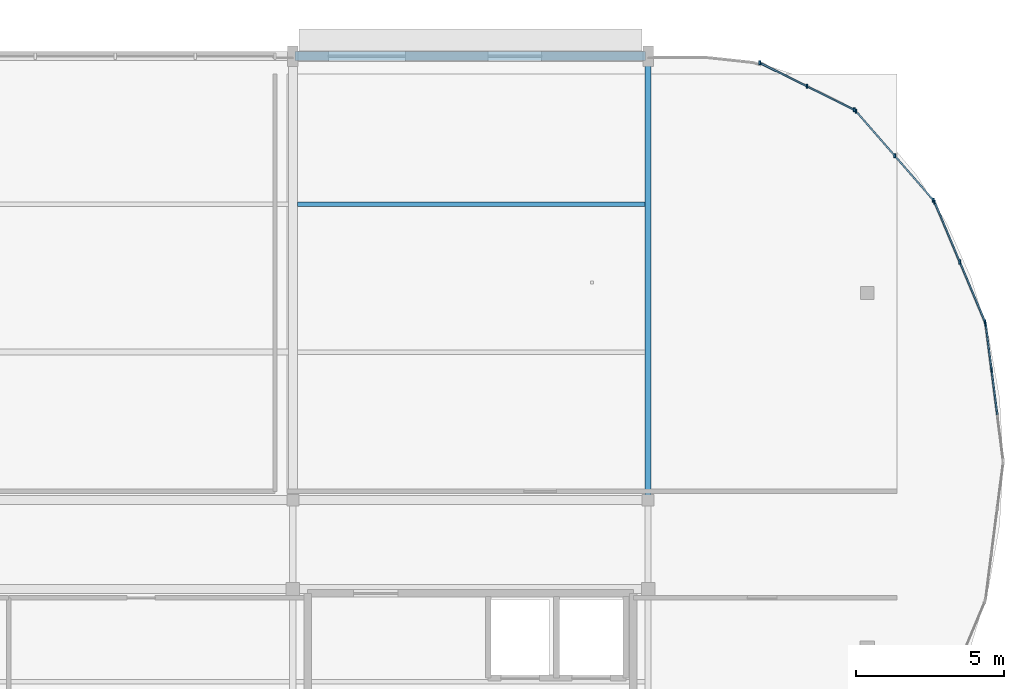
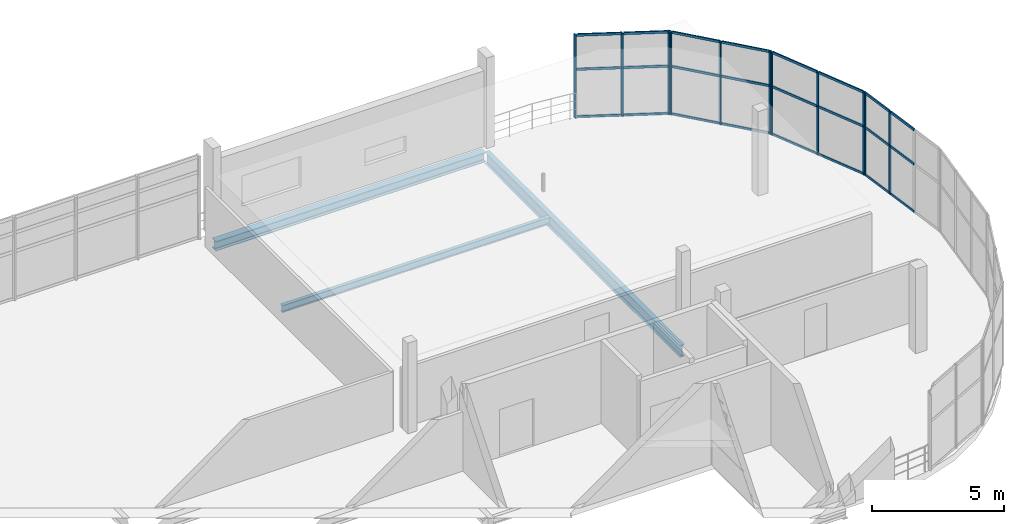
# One storey, part 5 of 13: 35 members, 3 beams, 4 elements without a shape of their own.
"""IFC4 building model written with IfcOpenShell, lengths in metres."""

from ifc_helpers import new_model, si_unit, direction, frame, origin, origin_2d, place, context, subcontext, project, spatial, rectangle, i_section, extrude, material, material_profile, profile_set, type_object, element, aggregate, save


model = new_model("IFC4")

# Units and contexts
model_context = context("Model", 3, precision=1e-05, world=origin(), true_north=direction((0.0, 1.0)))
body_context = subcontext(model_context, "Body", "Model", "MODEL_VIEW")
ifc_project = project(units=[si_unit("LENGTHUNIT", "METRE"), si_unit("AREAUNIT", "SQUARE_METRE"), si_unit("VOLUMEUNIT", "CUBIC_METRE"), si_unit("PLANEANGLEUNIT", "RADIAN"), si_unit("MASSUNIT", "GRAM", prefix="KILO"), si_unit("THERMODYNAMICTEMPERATUREUNIT", "KELVIN"), si_unit("POWERUNIT", "WATT")], contexts=[model_context])

# Site, building, storey
site_placement = place(None, origin())
site = spatial("IfcSite", under=ifc_project, at=site_placement, CompositionType="ELEMENT")
building_placement = place(site_placement, origin())
building = spatial("IfcBuilding", under=site, at=building_placement, Name="Solmara Park Aquatics Centre", CompositionType="ELEMENT")
storey_placement = place(building_placement, frame((0.0, 0.0, 14.39990234375)))
storey = spatial("IfcBuildingStorey", under=building, at=storey_placement, Name="L03", CompositionType="ELEMENT", Elevation=14.39990234375)

# Curtain wall, members
ifc_material_1 = material(Name="Anodised Aluminium Curtain Wall Framing", Category="aluminium")
curtain_wall_type = type_object("IfcCurtainWallType", Name="ARC-CW-SYS06", PredefinedType="USERDEFINED", material=ifc_material_1)
curtain_wall_1_placement = place(storey_placement, origin())
curtain_wall_1 = element("IfcCurtainWall", 1, at=curtain_wall_1_placement, inside=storey, type_object=curtain_wall_type, Name="Curtain Wall CW-150", ObjectType="CURTAIN WALL", PredefinedType="USERDEFINED")
ifc_material_2 = material(Name="Anodised Aluminium Alloy 6063-T6", Category="aluminium")
ifc_material_profile_1 = material_profile(ifc_material_2, rectangle(XDim=0.054931640625, YDim=0.139892578125, at=origin_2d()), Name="ALU MULLION 55x140")
ifc_profile_set_1 = profile_set([ifc_material_profile_1], Name="Anodised Aluminium Alloy 6063-T6")
member_type_1 = type_object("IfcMemberType", Name="ARC-CWM-55x140", PredefinedType="MULLION", material=ifc_profile_set_1)
member_1_placement = place(storey_placement, frame((108.19970703125, 125.41064453125, 0.0), z_axis=(0.0, 0.0, 1.0), x_axis=(1.0, 0.0, 0.0)))
member_1 = element("IfcMember", 2, at=member_1_placement, type_object=member_type_1, Name="CW-150 mullion 3", PredefinedType="MULLION", context=body_context, shape_type="SweptSolid", body=[
    extrude(rectangle(XDim=0.054931640625, YDim=0.139892578125, at=origin_2d()), origin(), (0.0, 0.0, 1.0), 3.860107421875),
])
member_2_placement = place(storey_placement, frame((108.001953125, 126.946044921875, 0.0), z_axis=(0.0, 0.0, 1.0), x_axis=(1.0, 0.0, 0.0)))
member_2 = element("IfcMember", 3, at=member_2_placement, type_object=member_type_1, Name="CW-150 mullion 4", PredefinedType="MULLION", context=body_context, shape_type="SweptSolid", body=[
    extrude(rectangle(XDim=0.054931640625, YDim=0.139892578125, at=origin_2d()), origin(), (0.0, 0.0, 1.0), 3.860107421875),
])

curtain_wall_2_placement = place(storey_placement, origin())
curtain_wall_2 = element("IfcCurtainWall", 4, at=curtain_wall_2_placement, inside=storey, type_object=curtain_wall_type, Name="Curtain Wall CW-151", ObjectType="CURTAIN WALL", PredefinedType="USERDEFINED")
member_3_placement = place(storey_placement, frame((107.9814453125, 127.022705078125, 0.0), z_axis=(0.0, 0.0, 1.0), x_axis=(1.0, 0.0, 0.0)))
member_3 = element("IfcMember", 5, at=member_3_placement, type_object=member_type_1, Name="CW-151 mullion 1", PredefinedType="MULLION", context=body_context, shape_type="SweptSolid", body=[
    extrude(rectangle(XDim=0.054931640625, YDim=0.139892578125, at=origin_2d()), origin(), (0.0, 0.0, 1.0), 3.860107421875),
])
member_4_placement = place(storey_placement, frame((107.128662109375, 129.0458984375, 0.0), z_axis=(0.0, 0.0, 1.0), x_axis=(1.0, 0.0, 0.0)))
member_4 = element("IfcMember", 6, at=member_4_placement, type_object=member_type_1, Name="CW-151 mullion 2", PredefinedType="MULLION", context=body_context, shape_type="SweptSolid", body=[
    extrude(rectangle(XDim=0.054931640625, YDim=0.139892578125, at=origin_2d()), origin(), (0.0, 0.0, 1.0), 3.860107421875),
])
member_5_placement = place(storey_placement, frame((106.27587890625, 131.0693359375, 0.0), z_axis=(0.0, 0.0, 1.0), x_axis=(1.0, 0.0, 0.0)))
member_5 = element("IfcMember", 7, at=member_5_placement, type_object=member_type_1, Name="CW-151 mullion 3", PredefinedType="MULLION", context=body_context, shape_type="SweptSolid", body=[
    extrude(rectangle(XDim=0.054931640625, YDim=0.139892578125, at=origin_2d()), origin(), (0.0, 0.0, 1.0), 3.860107421875),
])

curtain_wall_3_placement = place(storey_placement, origin())
curtain_wall_3 = element("IfcCurtainWall", 8, at=curtain_wall_3_placement, inside=storey, type_object=curtain_wall_type, Name="Curtain Wall CW-152", ObjectType="CURTAIN WALL", PredefinedType="USERDEFINED")
member_6_placement = place(storey_placement, frame((106.234130859375, 131.136474609375, 0.0), z_axis=(0.0, 0.0, 1.0), x_axis=(1.0, 0.0, 0.0)))
member_6 = element("IfcMember", 9, at=member_6_placement, type_object=member_type_1, Name="CW-152 mullion 1", PredefinedType="MULLION", context=body_context, shape_type="SweptSolid", body=[
    extrude(rectangle(XDim=0.054931640625, YDim=0.139892578125, at=origin_2d()), origin(), (0.0, 0.0, 1.0), 3.860107421875),
])
member_7_placement = place(storey_placement, frame((104.93017578125, 132.635498046875, 0.0), z_axis=(0.0, 0.0, 1.0), x_axis=(1.0, 0.0, 0.0)))
member_7 = element("IfcMember", 10, at=member_7_placement, type_object=member_type_1, Name="CW-152 mullion 2", PredefinedType="MULLION", context=body_context, shape_type="SweptSolid", body=[
    extrude(rectangle(XDim=0.054931640625, YDim=0.139892578125, at=origin_2d()), origin(), (0.0, 0.0, 1.0), 3.860107421875),
])
member_8_placement = place(storey_placement, frame((103.626220703125, 134.13427734375, 0.0), z_axis=(0.0, 0.0, 1.0), x_axis=(1.0, 0.0, 0.0)))
member_8 = element("IfcMember", 11, at=member_8_placement, type_object=member_type_1, Name="CW-152 mullion 3", PredefinedType="MULLION", context=body_context, shape_type="SweptSolid", body=[
    extrude(rectangle(XDim=0.054931640625, YDim=0.139892578125, at=origin_2d()), origin(), (0.0, 0.0, 1.0), 3.860107421875),
])

curtain_wall_4_placement = place(storey_placement, origin())
curtain_wall_4 = element("IfcCurtainWall", 12, at=curtain_wall_4_placement, inside=storey, type_object=curtain_wall_type, Name="Curtain Wall CW-153", ObjectType="CURTAIN WALL", PredefinedType="USERDEFINED")
member_9_placement = place(storey_placement, frame((103.564208984375, 134.182373046875, 0.0), z_axis=(0.0, 0.0, 1.0), x_axis=(1.0, 0.0, 0.0)))
member_9 = element("IfcMember", 13, at=member_9_placement, type_object=member_type_1, Name="CW-153 mullion 1", PredefinedType="MULLION", context=body_context, shape_type="SweptSolid", body=[
    extrude(rectangle(XDim=0.054931640625, YDim=0.139892578125, at=origin_2d()), origin(), (0.0, 0.0, 1.0), 3.860107421875),
])
member_10_placement = place(storey_placement, frame((101.96826171875, 134.978271484375, 0.0), z_axis=(0.0, 0.0, 1.0), x_axis=(1.0, 0.0, 0.0)))
member_10 = element("IfcMember", 14, at=member_10_placement, type_object=member_type_1, Name="CW-153 mullion 2", PredefinedType="MULLION", context=body_context, shape_type="SweptSolid", body=[
    extrude(rectangle(XDim=0.054931640625, YDim=0.139892578125, at=origin_2d()), origin(), (0.0, 0.0, 1.0), 3.860107421875),
])
member_11_placement = place(storey_placement, frame((100.372314453125, 135.77392578125, 0.0), z_axis=(0.0, 0.0, 1.0), x_axis=(1.0, 0.0, 0.0)))
member_11 = element("IfcMember", 15, at=member_11_placement, type_object=member_type_1, Name="CW-153 mullion 3", PredefinedType="MULLION", context=body_context, shape_type="SweptSolid", body=[
    extrude(rectangle(XDim=0.054931640625, YDim=0.139892578125, at=origin_2d()), origin(), (0.0, 0.0, 1.0), 3.860107421875),
])

# Member
ifc_material_profile_2 = material_profile(ifc_material_2, rectangle(XDim=0.054931640625, YDim=0.110107421875, at=origin_2d()), Name="ALU TRANSOM 55x110")
ifc_profile_set_2 = profile_set([ifc_material_profile_2], Name="Anodised Aluminium Alloy 6063-T6")
member_type_2 = type_object("IfcMemberType", Name="ARC-CWT-55x110", PredefinedType="USERDEFINED", material=ifc_profile_set_2)
member_12_placement = place(storey_placement, frame((108.394775390625, 123.89501953125, 0.0400390625), z_axis=(-0.127718054306, 0.991810515474, 0.0), x_axis=(-0.991810515474, -0.127718054306, 0.0)))
member_12 = element("IfcMember", 16, at=member_12_placement, type_object=member_type_2, Name="CW-150 transom 4", ObjectType="TRANSOM", PredefinedType="USERDEFINED", context=body_context, shape_type="SweptSolid", body=[
    extrude(rectangle(XDim=0.054931640625, YDim=0.110107421875, at=origin_2d()), origin(), (0.0, 0.0, 1.0), 1.468017578125),
])

member_13_placement = place(storey_placement, frame((108.394775390625, 123.89501953125, 2.239013671875), z_axis=(-0.127718054306, 0.991810515474, 0.0), x_axis=(-0.991810515474, -0.127718054306, 0.0)))
member_13 = element("IfcMember", 17, at=member_13_placement, type_object=member_type_2, Name="CW-150 transom 5", ObjectType="TRANSOM", PredefinedType="USERDEFINED", context=body_context, shape_type="SweptSolid", body=[
    extrude(rectangle(XDim=0.054931640625, YDim=0.110107421875, at=origin_2d()), origin(), (0.0, 0.0, 1.0), 1.468017578125),
])

member_14_placement = place(storey_placement, frame((108.394775390625, 123.89501953125, 3.820068359375), z_axis=(-0.127718054306, 0.991810515474, 0.0), x_axis=(-0.991810515474, -0.127718054306, 0.0)))
member_14 = element("IfcMember", 18, at=member_14_placement, type_object=member_type_2, Name="CW-150 transom 6", ObjectType="TRANSOM", PredefinedType="USERDEFINED", context=body_context, shape_type="SweptSolid", body=[
    extrude(rectangle(XDim=0.054931640625, YDim=0.110107421875, at=origin_2d()), origin(), (0.0, 0.0, 1.0), 1.468017578125),
])

member_15_placement = place(storey_placement, frame((108.197021484375, 125.430419921875, 0.0400390625), z_axis=(-0.127554462209, 0.991831567944, 0.0), x_axis=(-0.991831567944, -0.127554462209, 0.0)))
member_15 = element("IfcMember", 19, at=member_15_placement, type_object=member_type_2, Name="CW-150 transom 7", ObjectType="TRANSOM", PredefinedType="USERDEFINED", context=body_context, shape_type="SweptSolid", body=[
    extrude(rectangle(XDim=0.054931640625, YDim=0.110107421875, at=origin_2d()), origin(), (0.0, 0.0, 1.0), 1.468017578125),
])

member_16_placement = place(storey_placement, frame((108.197021484375, 125.430419921875, 2.239013671875), z_axis=(-0.127554462209, 0.991831567944, 0.0), x_axis=(-0.991831567944, -0.127554462209, 0.0)))
member_16 = element("IfcMember", 20, at=member_16_placement, type_object=member_type_2, Name="CW-150 transom 8", ObjectType="TRANSOM", PredefinedType="USERDEFINED", context=body_context, shape_type="SweptSolid", body=[
    extrude(rectangle(XDim=0.054931640625, YDim=0.110107421875, at=origin_2d()), origin(), (0.0, 0.0, 1.0), 1.468017578125),
])

member_17_placement = place(storey_placement, frame((108.197021484375, 125.430419921875, 3.820068359375), z_axis=(-0.127554462209, 0.991831567944, 0.0), x_axis=(-0.991831567944, -0.127554462209, 0.0)))
member_17 = element("IfcMember", 21, at=member_17_placement, type_object=member_type_2, Name="CW-150 transom 9", ObjectType="TRANSOM", PredefinedType="USERDEFINED", context=body_context, shape_type="SweptSolid", body=[
    extrude(rectangle(XDim=0.054931640625, YDim=0.110107421875, at=origin_2d()), origin(), (0.0, 0.0, 1.0), 1.468017578125),
])

aggregate(curtain_wall_1, [member_1, member_2, member_12, member_13, member_14, member_15, member_16, member_17])

member_18_placement = place(storey_placement, frame((107.9736328125, 127.041015625, 0.0400390625), z_axis=(-0.388299448937, 0.921533253852, 0.0), x_axis=(-0.921533253852, -0.388299448937, 0.0)))
member_18 = element("IfcMember", 22, at=member_18_placement, type_object=member_type_2, Name="CW-151 transom 1", ObjectType="TRANSOM", PredefinedType="USERDEFINED", context=body_context, shape_type="SweptSolid", body=[
    extrude(rectangle(XDim=0.054931640625, YDim=0.110107421875, at=origin_2d()), origin(), (0.0, 0.0, 1.0), 2.11572265625),
])

member_19_placement = place(storey_placement, frame((107.9736328125, 127.041015625, 2.239013671875), z_axis=(-0.388299448937, 0.921533253852, 0.0), x_axis=(-0.921533253852, -0.388299448937, 0.0)))
member_19 = element("IfcMember", 23, at=member_19_placement, type_object=member_type_2, Name="CW-151 transom 2", ObjectType="TRANSOM", PredefinedType="USERDEFINED", context=body_context, shape_type="SweptSolid", body=[
    extrude(rectangle(XDim=0.054931640625, YDim=0.110107421875, at=origin_2d()), origin(), (0.0, 0.0, 1.0), 2.11572265625),
])

member_20_placement = place(storey_placement, frame((107.9736328125, 127.041015625, 3.820068359375), z_axis=(-0.388299448937, 0.921533253852, 0.0), x_axis=(-0.921533253852, -0.388299448937, 0.0)))
member_20 = element("IfcMember", 24, at=member_20_placement, type_object=member_type_2, Name="CW-151 transom 3", ObjectType="TRANSOM", PredefinedType="USERDEFINED", context=body_context, shape_type="SweptSolid", body=[
    extrude(rectangle(XDim=0.054931640625, YDim=0.110107421875, at=origin_2d()), origin(), (0.0, 0.0, 1.0), 2.11572265625),
])

member_21_placement = place(storey_placement, frame((107.120849609375, 129.064453125, 0.0400390625), z_axis=(-0.388340744327, 0.921515852438, 0.0), x_axis=(-0.921515852438, -0.388340744327, 0.0)))
member_21 = element("IfcMember", 25, at=member_21_placement, type_object=member_type_2, Name="CW-151 transom 4", ObjectType="TRANSOM", PredefinedType="USERDEFINED", context=body_context, shape_type="SweptSolid", body=[
    extrude(rectangle(XDim=0.054931640625, YDim=0.110107421875, at=origin_2d()), origin(), (0.0, 0.0, 1.0), 2.115478515625),
])

member_22_placement = place(storey_placement, frame((107.120849609375, 129.064453125, 2.239013671875), z_axis=(-0.388340744327, 0.921515852438, 0.0), x_axis=(-0.921515852438, -0.388340744327, 0.0)))
member_22 = element("IfcMember", 26, at=member_22_placement, type_object=member_type_2, Name="CW-151 transom 5", ObjectType="TRANSOM", PredefinedType="USERDEFINED", context=body_context, shape_type="SweptSolid", body=[
    extrude(rectangle(XDim=0.054931640625, YDim=0.110107421875, at=origin_2d()), origin(), (0.0, 0.0, 1.0), 2.115478515625),
])

member_23_placement = place(storey_placement, frame((107.120849609375, 129.064453125, 3.820068359375), z_axis=(-0.388340744327, 0.921515852438, 0.0), x_axis=(-0.921515852438, -0.388340744327, 0.0)))
member_23 = element("IfcMember", 27, at=member_23_placement, type_object=member_type_2, Name="CW-151 transom 6", ObjectType="TRANSOM", PredefinedType="USERDEFINED", context=body_context, shape_type="SweptSolid", body=[
    extrude(rectangle(XDim=0.054931640625, YDim=0.110107421875, at=origin_2d()), origin(), (0.0, 0.0, 1.0), 2.115478515625),
])

aggregate(curtain_wall_2, [member_3, member_4, member_5, member_18, member_19, member_20, member_21, member_22, member_23])

member_24_placement = place(storey_placement, frame((106.220947265625, 131.151611328125, 0.0400390625), z_axis=(-0.656362563092, 0.754445614853, 0.0), x_axis=(-0.754445614853, -0.656362563092, 0.0)))
member_24 = element("IfcMember", 28, at=member_24_placement, type_object=member_type_2, Name="CW-152 transom 1", ObjectType="TRANSOM", PredefinedType="USERDEFINED", context=body_context, shape_type="SweptSolid", body=[
    extrude(rectangle(XDim=0.054931640625, YDim=0.110107421875, at=origin_2d()), origin(), (0.0, 0.0, 1.0), 1.90673828125),
])

member_25_placement = place(storey_placement, frame((106.220947265625, 131.151611328125, 2.239013671875), z_axis=(-0.656362563092, 0.754445614853, 0.0), x_axis=(-0.754445614853, -0.656362563092, 0.0)))
member_25 = element("IfcMember", 29, at=member_25_placement, type_object=member_type_2, Name="CW-152 transom 2", ObjectType="TRANSOM", PredefinedType="USERDEFINED", context=body_context, shape_type="SweptSolid", body=[
    extrude(rectangle(XDim=0.054931640625, YDim=0.110107421875, at=origin_2d()), origin(), (0.0, 0.0, 1.0), 1.90673828125),
])

member_26_placement = place(storey_placement, frame((106.220947265625, 131.151611328125, 3.820068359375), z_axis=(-0.656362563092, 0.754445614853, 0.0), x_axis=(-0.754445614853, -0.656362563092, 0.0)))
member_26 = element("IfcMember", 30, at=member_26_placement, type_object=member_type_2, Name="CW-152 transom 3", ObjectType="TRANSOM", PredefinedType="USERDEFINED", context=body_context, shape_type="SweptSolid", body=[
    extrude(rectangle(XDim=0.054931640625, YDim=0.110107421875, at=origin_2d()), origin(), (0.0, 0.0, 1.0), 1.90673828125),
])

member_27_placement = place(storey_placement, frame((104.9169921875, 132.650390625, 0.0400390625), z_axis=(-0.656299159938, 0.754500770487, 0.0), x_axis=(-0.754500770487, -0.656299159938, 0.0)))
member_27 = element("IfcMember", 31, at=member_27_placement, type_object=member_type_2, Name="CW-152 transom 4", ObjectType="TRANSOM", PredefinedType="USERDEFINED", context=body_context, shape_type="SweptSolid", body=[
    extrude(rectangle(XDim=0.054931640625, YDim=0.110107421875, at=origin_2d()), origin(), (0.0, 0.0, 1.0), 1.90673828125),
])

member_28_placement = place(storey_placement, frame((104.9169921875, 132.650390625, 2.239013671875), z_axis=(-0.656299159938, 0.754500770487, 0.0), x_axis=(-0.754500770487, -0.656299159938, 0.0)))
member_28 = element("IfcMember", 32, at=member_28_placement, type_object=member_type_2, Name="CW-152 transom 5", ObjectType="TRANSOM", PredefinedType="USERDEFINED", context=body_context, shape_type="SweptSolid", body=[
    extrude(rectangle(XDim=0.054931640625, YDim=0.110107421875, at=origin_2d()), origin(), (0.0, 0.0, 1.0), 1.90673828125),
])

member_29_placement = place(storey_placement, frame((104.9169921875, 132.650390625, 3.820068359375), z_axis=(-0.656299159938, 0.754500770487, 0.0), x_axis=(-0.754500770487, -0.656299159938, 0.0)))
member_29 = element("IfcMember", 33, at=member_29_placement, type_object=member_type_2, Name="CW-152 transom 6", ObjectType="TRANSOM", PredefinedType="USERDEFINED", context=body_context, shape_type="SweptSolid", body=[
    extrude(rectangle(XDim=0.054931640625, YDim=0.110107421875, at=origin_2d()), origin(), (0.0, 0.0, 1.0), 1.90673828125),
])

aggregate(curtain_wall_3, [member_6, member_7, member_8, member_24, member_25, member_26, member_27, member_28, member_29])

member_30_placement = place(storey_placement, frame((103.54638671875, 134.19140625, 0.0400390625), z_axis=(-0.894942577942, 0.446181333301, 0.0), x_axis=(-0.446181333301, -0.894942577942, 0.0)))
member_30 = element("IfcMember", 34, at=member_30_placement, type_object=member_type_2, Name="CW-153 transom 1", ObjectType="TRANSOM", PredefinedType="USERDEFINED", context=body_context, shape_type="SweptSolid", body=[
    extrude(rectangle(XDim=0.054931640625, YDim=0.110107421875, at=origin_2d()), origin(), (0.0, 0.0, 1.0), 1.703369140625),
])

member_31_placement = place(storey_placement, frame((103.54638671875, 134.19140625, 2.239013671875), z_axis=(-0.894942577942, 0.446181333301, 0.0), x_axis=(-0.446181333301, -0.894942577942, 0.0)))
member_31 = element("IfcMember", 35, at=member_31_placement, type_object=member_type_2, Name="CW-153 transom 2", ObjectType="TRANSOM", PredefinedType="USERDEFINED", context=body_context, shape_type="SweptSolid", body=[
    extrude(rectangle(XDim=0.054931640625, YDim=0.110107421875, at=origin_2d()), origin(), (0.0, 0.0, 1.0), 1.703369140625),
])

member_32_placement = place(storey_placement, frame((103.54638671875, 134.19140625, 3.820068359375), z_axis=(-0.894942577942, 0.446181333301, 0.0), x_axis=(-0.446181333301, -0.894942577942, 0.0)))
member_32 = element("IfcMember", 36, at=member_32_placement, type_object=member_type_2, Name="CW-153 transom 3", ObjectType="TRANSOM", PredefinedType="USERDEFINED", context=body_context, shape_type="SweptSolid", body=[
    extrude(rectangle(XDim=0.054931640625, YDim=0.110107421875, at=origin_2d()), origin(), (0.0, 0.0, 1.0), 1.703369140625),
])

member_33_placement = place(storey_placement, frame((101.950439453125, 134.987060546875, 0.0400390625), z_axis=(-0.894885342251, 0.446296117196, 0.0), x_axis=(-0.446296117196, -0.894885342251, 0.0)))
member_33 = element("IfcMember", 37, at=member_33_placement, type_object=member_type_2, Name="CW-153 transom 4", ObjectType="TRANSOM", PredefinedType="USERDEFINED", context=body_context, shape_type="SweptSolid", body=[
    extrude(rectangle(XDim=0.054931640625, YDim=0.110107421875, at=origin_2d()), origin(), (0.0, 0.0, 1.0), 1.703369140625),
])

member_34_placement = place(storey_placement, frame((101.950439453125, 134.987060546875, 2.239013671875), z_axis=(-0.894885342251, 0.446296117196, 0.0), x_axis=(-0.446296117196, -0.894885342251, 0.0)))
member_34 = element("IfcMember", 38, at=member_34_placement, type_object=member_type_2, Name="CW-153 transom 5", ObjectType="TRANSOM", PredefinedType="USERDEFINED", context=body_context, shape_type="SweptSolid", body=[
    extrude(rectangle(XDim=0.054931640625, YDim=0.110107421875, at=origin_2d()), origin(), (0.0, 0.0, 1.0), 1.703369140625),
])

member_35_placement = place(storey_placement, frame((101.950439453125, 134.987060546875, 3.820068359375), z_axis=(-0.894885342251, 0.446296117196, 0.0), x_axis=(-0.446296117196, -0.894885342251, 0.0)))
member_35 = element("IfcMember", 39, at=member_35_placement, type_object=member_type_2, Name="CW-153 transom 6", ObjectType="TRANSOM", PredefinedType="USERDEFINED", context=body_context, shape_type="SweptSolid", body=[
    extrude(rectangle(XDim=0.054931640625, YDim=0.110107421875, at=origin_2d()), origin(), (0.0, 0.0, 1.0), 1.703369140625),
])

aggregate(curtain_wall_4, [member_9, member_10, member_11, member_30, member_31, member_32, member_33, member_34, member_35])

# Beams
ifc_material_3 = material(Name="Structural Steel S355", Category="steel")
ifc_material_profile_3 = material_profile(ifc_material_3, i_section(OverallWidth=0.300048828125, OverallDepth=0.43994140625, WebThickness=0.011474609375, FlangeThickness=0.02099609375, FilletRadius=0.027099609375, at=origin_2d()), Name="HEA 450")
ifc_profile_set_3 = profile_set([ifc_material_profile_3], Name="Structural Steel S355")
beam_type_1 = type_object("IfcBeamType", Name="STR-BM-HEA450", PredefinedType="BEAM", material=ifc_profile_set_3)
beam_1_placement = place(storey_placement, frame((84.679931640625, 136.0, -0.539794921875), z_axis=(1.0, 0.0, 0.0), x_axis=(0.0, 1.0, 0.0)))
element("IfcBeam", 40, at=beam_1_placement, inside=storey, type_object=beam_type_1, Name="Girder BM-L03-0458", PredefinedType="BEAM", context=body_context, shape_type="SweptSolid", body=[
    extrude(i_section(OverallWidth=0.300048828125, OverallDepth=0.43994140625, WebThickness=0.011474609375, FlangeThickness=0.02099609375, FilletRadius=0.027099609375, at=origin_2d()), origin(), (0.0, 0.0, 1.0), 11.840087890625),
])
ifc_material_profile_4 = material_profile(ifc_material_3, i_section(OverallWidth=0.2099609375, OverallDepth=0.550048828125, WebThickness=0.010986328125, FlangeThickness=0.01708984375, FilletRadius=0.02392578125, at=origin_2d()), Name="IPE 550")
ifc_profile_set_4 = profile_set([ifc_material_profile_4], Name="Structural Steel S355")
beam_type_2 = type_object("IfcBeamType", Name="STR-BM-IPE550", PredefinedType="BEAM", material=ifc_profile_set_4)
beam_2_placement = place(storey_placement, frame((96.60009765625, 121.080078125, -0.594970703125), z_axis=(0.0, 1.0, 0.0), x_axis=(-1.0, 0.0, 0.0)))
element("IfcBeam", 41, at=beam_2_placement, inside=storey, type_object=beam_type_2, Name="Girder BM-L03-0479", PredefinedType="BEAM", context=body_context, shape_type="SweptSolid", body=[
    extrude(i_section(OverallWidth=0.2099609375, OverallDepth=0.550048828125, WebThickness=0.010986328125, FlangeThickness=0.01708984375, FilletRadius=0.02392578125, at=origin_2d()), origin(), (0.0, 0.0, 1.0), 14.83984375),
])
ifc_material_profile_5 = material_profile(ifc_material_3, i_section(OverallWidth=0.159912109375, OverallDepth=0.330078125, WebThickness=0.007568359375, FlangeThickness=0.011474609375, FilletRadius=0.01806640625, at=origin_2d()), Name="IPE 330")
ifc_profile_set_5 = profile_set([ifc_material_profile_5], Name="Structural Steel S355")
beam_type_3 = type_object("IfcBeamType", Name="STR-JST-IPE330", PredefinedType="JOIST", material=ifc_profile_set_5)
beam_3_placement = place(storey_placement, frame((84.75, 131.0, -0.48486328125), z_axis=(1.0, 0.0, 0.0), x_axis=(0.0, 1.0, 0.0)))
element("IfcBeam", 42, at=beam_3_placement, inside=storey, type_object=beam_type_3, Name="Floor Joist JST-L03-0263", PredefinedType="JOIST", context=body_context, shape_type="SweptSolid", body=[
    extrude(i_section(OverallWidth=0.159912109375, OverallDepth=0.330078125, WebThickness=0.007568359375, FlangeThickness=0.011474609375, FilletRadius=0.01806640625, at=origin_2d()), origin(), (0.0, 0.0, 1.0), 11.7451171875),
])

save(model, "model.ifc")
